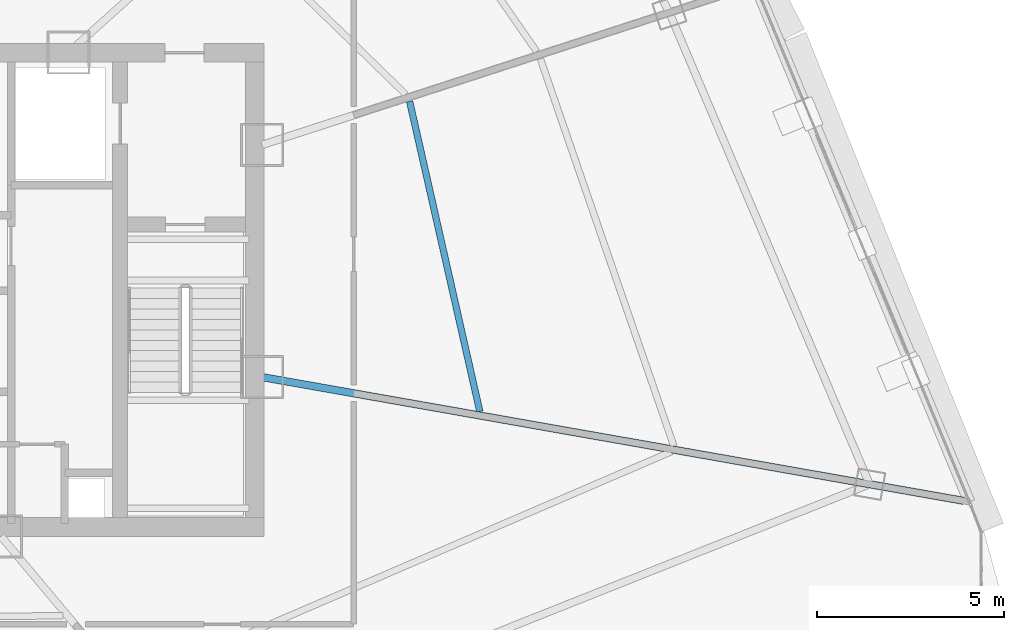
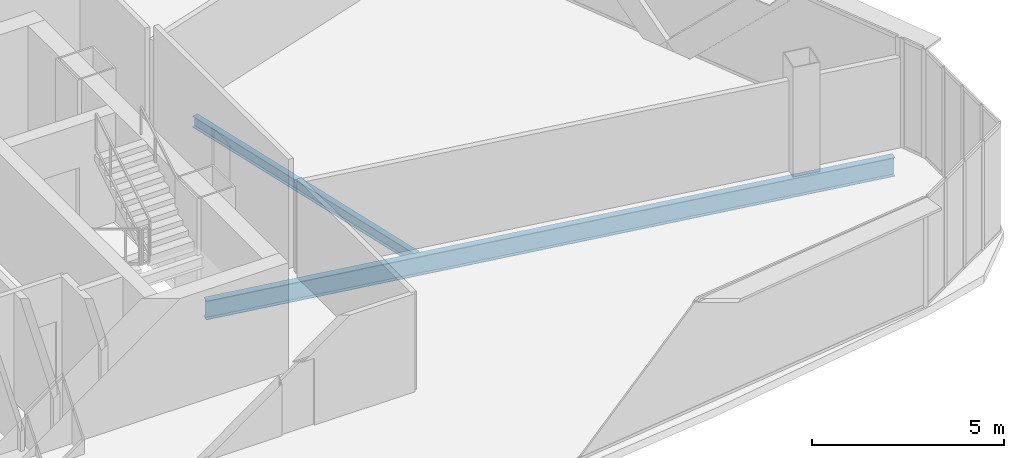
# One storey, part 15 of 39: 2 beams.
"""IFC4 building model written with IfcOpenShell, lengths in metres."""

from ifc_helpers import new_model, si_unit, direction, frame, origin, origin_2d, place, context, subcontext, project, spatial, i_section, extrude, source, transform, mapped, material, material_profile, profile_set, type_object, element, save


model = new_model("IFC4")

# Units and contexts
model_context = context("Model", 3, precision=1e-05, world=origin(), true_north=direction((0.0, 1.0)))
body_context = subcontext(model_context, "Body", "Model", "MODEL_VIEW")
ifc_project = project(units=[si_unit("LENGTHUNIT", "METRE"), si_unit("AREAUNIT", "SQUARE_METRE"), si_unit("VOLUMEUNIT", "CUBIC_METRE"), si_unit("PLANEANGLEUNIT", "RADIAN"), si_unit("MASSUNIT", "GRAM", prefix="KILO"), si_unit("THERMODYNAMICTEMPERATUREUNIT", "KELVIN"), si_unit("POWERUNIT", "WATT")], contexts=[model_context])

# Site, building, storey
site_placement = place(None, origin())
site = spatial("IfcSite", under=ifc_project, at=site_placement, CompositionType="ELEMENT")
building_placement = place(site_placement, origin())
building = spatial("IfcBuilding", under=site, at=building_placement, Name="Yunzhuo Pagoda Commons", CompositionType="ELEMENT")
storey_placement = place(building_placement, frame((0.0, 0.0, 296.2099609375)))
storey = spatial("IfcBuildingStorey", under=building, at=storey_placement, Name="L74", CompositionType="ELEMENT", Elevation=296.2099609375)

# Beams
ifc_material = material(Name="Structural steel Q355B", Category="steel")
ifc_material_profile_1 = material_profile(ifc_material, i_section(OverallWidth=0.175048828125, OverallDepth=0.35009765625, WebThickness=0.007080078125, FlangeThickness=0.010986328125, at=origin_2d()), Name="Structural steel Q355B")
ifc_profile_set_1 = profile_set([ifc_material_profile_1], Name="Structural steel Q355B")
beam_type_1 = type_object("IfcBeamType", Name="B-JS2 Joist HN 350x175x7x11", PredefinedType="JOIST", material=ifc_profile_set_1)
shared_shape_1 = source(origin(), body_context, "Body", "SweptSolid", [
    extrude(i_section(OverallWidth=0.175048828125, OverallDepth=0.35009765625, WebThickness=0.007080078125, FlangeThickness=0.010986328125, at=origin_2d()), origin(), (0.0, 0.0, 1.0), 8.508544921875),
])
beam_1_placement = place(storey_placement, frame((66.228759765625, 30.593505859375, -0.43505859375), z_axis=(-0.220769003385, 0.975326123481, 0.0), x_axis=(-0.975326123481, -0.220769003385, 0.0)))
element("IfcBeam", 1, at=beam_1_placement, inside=storey, type_object=beam_type_1, Name="L74 composite ring joist 1.5", PredefinedType="JOIST", context=body_context, shape_type="MappedRepresentation", body=[
    mapped(shared_shape_1, transform((0.0, 0.0, 0.0), scale=1.0)),
])
ifc_material_profile_2 = material_profile(ifc_material, i_section(OverallWidth=0.199951171875, OverallDepth=0.60009765625, WebThickness=0.010986328125, FlangeThickness=0.01708984375, at=origin_2d()), Name="Structural steel Q355B")
ifc_profile_set_2 = profile_set([ifc_material_profile_2], Name="Structural steel Q355B")
beam_type_2 = type_object("IfcBeamType", Name="B-RG3 Beam HN 600x200x11x17", PredefinedType="BEAM", material=ifc_profile_set_2)
shared_shape_2 = source(origin(), body_context, "Body", "SweptSolid", [
    extrude(i_section(OverallWidth=0.199951171875, OverallDepth=0.60009765625, WebThickness=0.010986328125, FlangeThickness=0.01708984375, at=origin_2d()), origin(), (0.0, 0.0, 1.0), 19.06884765625),
])
beam_2_placement = place(storey_placement, frame((79.17919921875, 28.202392578125, -0.56005859375), z_axis=(-0.984810098602, 0.173634874639, 0.0), x_axis=(-0.173634874639, -0.984810098602, 0.0)))
element("IfcBeam", 2, at=beam_2_placement, inside=storey, type_object=beam_type_2, Name="L74 radial floor girder F2C1", PredefinedType="BEAM", context=body_context, shape_type="MappedRepresentation", body=[
    mapped(shared_shape_2, transform((0.0, 0.0, 0.0), scale=1.0)),
])

save(model, "model.ifc")
